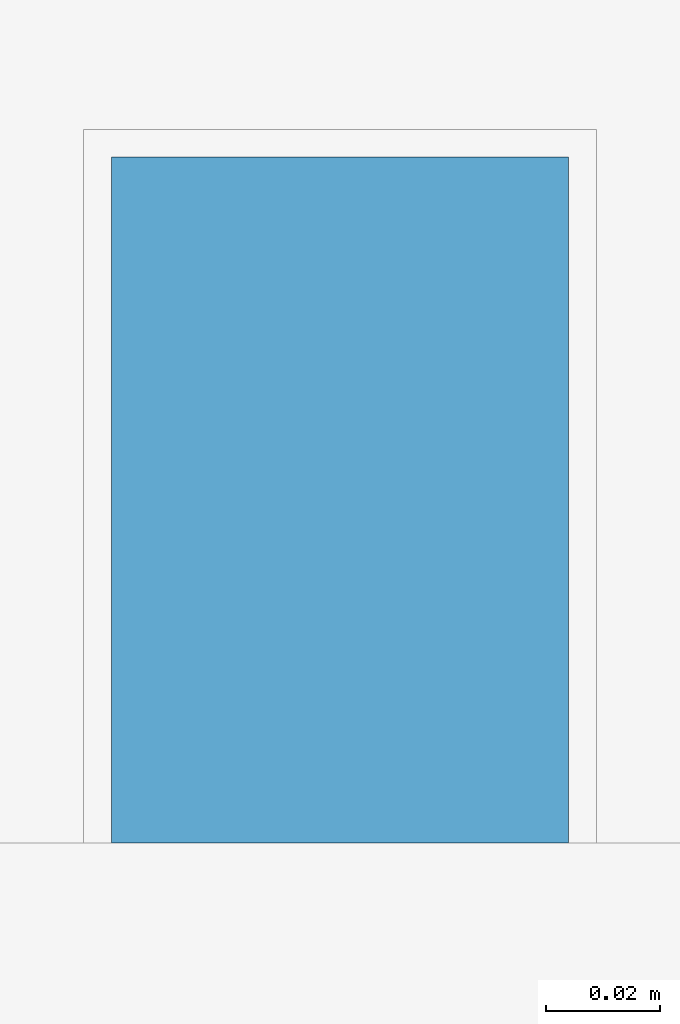
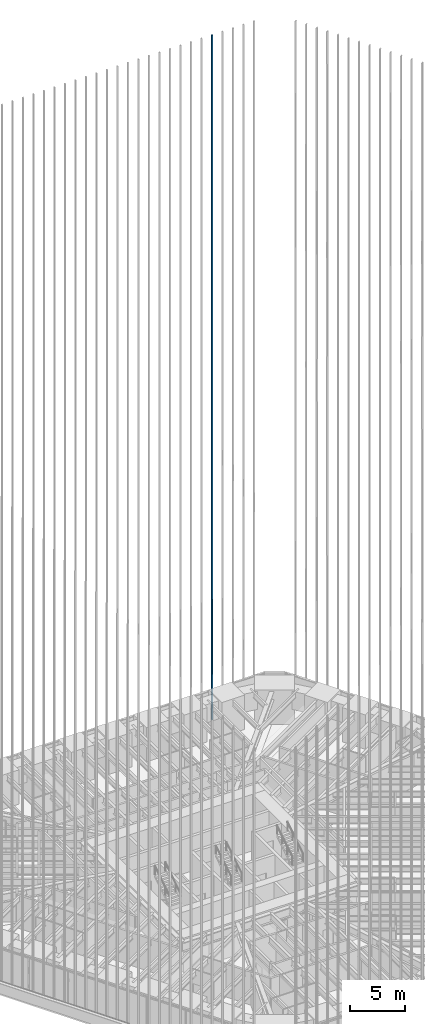
# One storey, part 215 of 238: 1 member, 1 element without a shape of its own.
"""IFC4 building model written with IfcOpenShell, lengths in metres."""

from ifc_helpers import new_model, si_unit, direction, frame, origin, origin_2d, place, context, subcontext, project, spatial, rectangle, extrude, material, material_profile, profile_set, type_object, element, aggregate, save


model = new_model("IFC4")

# Units and contexts
model_context = context("Model", 3, precision=1e-05, world=origin(), true_north=direction((0.0, 1.0)))
body_context = subcontext(model_context, "Body", "Model", "MODEL_VIEW")
ifc_project = project(units=[si_unit("LENGTHUNIT", "METRE"), si_unit("AREAUNIT", "SQUARE_METRE"), si_unit("VOLUMEUNIT", "CUBIC_METRE"), si_unit("PLANEANGLEUNIT", "RADIAN"), si_unit("MASSUNIT", "GRAM", prefix="KILO")], contexts=[model_context])

# Site, building, storey
site_placement = place(None, origin())
site = spatial("IfcSite", under=ifc_project, at=site_placement, CompositionType="ELEMENT")
building_placement = place(site_placement, origin())
building = spatial("IfcBuilding", under=site, at=building_placement, Name="Sandreach Pilgrim Tower", CompositionType="ELEMENT")
storey_placement = place(building_placement, frame((0.0, 0.0, 96.800048828125)))
storey = spatial("IfcBuildingStorey", under=building, at=storey_placement, Name="L23", CompositionType="ELEMENT", Elevation=96.800048828125)

# Curtain wall, member
ifc_material_1 = material(Name="Aluminium framed curtain wall", Category="aluminium")
curtain_wall_type = type_object("IfcCurtainWallType", Name="Hotel tower curtain wall", PredefinedType="NOTDEFINED", material=ifc_material_1)
curtain_wall_placement = place(storey_placement, origin())
curtain_wall = element("IfcCurtainWall", 1, at=curtain_wall_placement, inside=storey, type_object=curtain_wall_type, Name="CW-2 L23 N", PredefinedType="NOTDEFINED")
ifc_material_2 = material(Name="Extruded terracotta on aluminium core", Category="masonry")
ifc_material_profile = material_profile(ifc_material_2, rectangle(XDim=0.080078125, YDim=0.1201171875, at=origin_2d()), Name="TBN 80X120")
ifc_profile_set = profile_set([ifc_material_profile], Name="Extruded terracotta on aluminium core")
member_type = type_object("IfcMemberType", Name="Terracotta baguette north", PredefinedType="USERDEFINED", material=ifc_profile_set)
member_placement = place(storey_placement, frame((13.1923828125, 22.853759765625, 0.0), z_axis=(0.0, 0.0, 1.0), x_axis=(1.0, 0.0, 0.0)))
member = element("IfcMember", 2, at=member_placement, type_object=member_type, Name="Baguette Z2 N29", ObjectType="BAGUETTE", PredefinedType="USERDEFINED", context=body_context, shape_type="SweptSolid", body=[
    extrude(rectangle(XDim=0.080078125, YDim=0.1201171875, at=origin_2d()), origin(), (0.0, 0.0, 1.0), 75.83984375),
])
aggregate(curtain_wall, [member])

save(model, "model.ifc")
